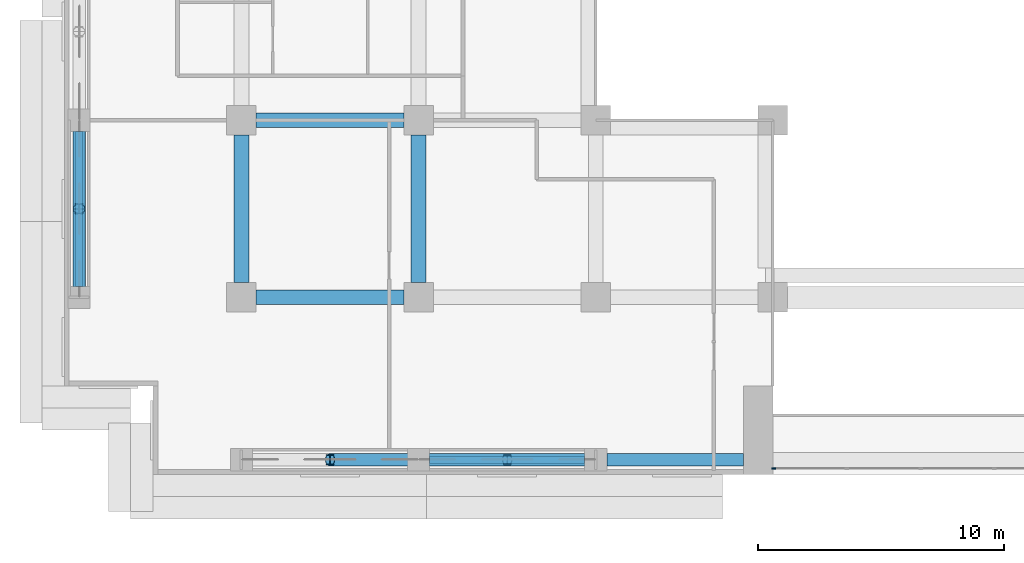
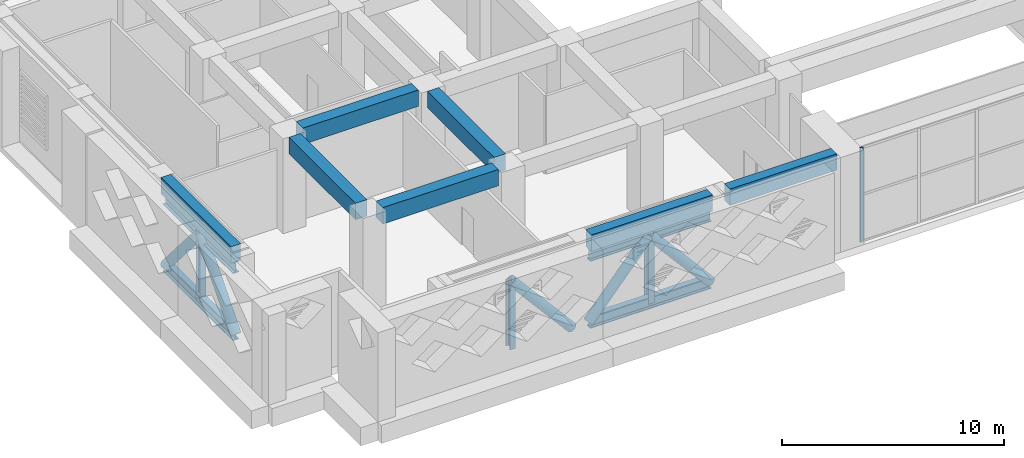
# One storey, part 2 of 19: 13 members, 7 beams, 1 element without a shape of its own.
"""IFC4 building model written with IfcOpenShell, lengths in metres."""

from ifc_helpers import new_model, si_unit, direction, frame, origin, origin_2d, place, context, subcontext, project, spatial, rectangle, hollow_circle, i_section, extrude, source, transform, mapped, material, layer, layer_set, material_profile, profile_set, type_object, element, aggregate, save


model = new_model("IFC4")

# Units and contexts
model_context = context("Model", 3, precision=1e-05, world=origin(), true_north=direction((0.0, 1.0)))
body_context = subcontext(model_context, "Body", "Model", "MODEL_VIEW")
ifc_project = project(units=[si_unit("LENGTHUNIT", "METRE"), si_unit("AREAUNIT", "SQUARE_METRE"), si_unit("VOLUMEUNIT", "CUBIC_METRE"), si_unit("PLANEANGLEUNIT", "RADIAN"), si_unit("MASSUNIT", "GRAM", prefix="KILO")], contexts=[model_context])

# Site, building, storey
site_placement = place(None, origin())
site = spatial("IfcSite", under=ifc_project, at=site_placement, CompositionType="ELEMENT")
building_placement = place(site_placement, origin())
building = spatial("IfcBuilding", under=site, at=building_placement, Name="Saffron Iwan Residences", CompositionType="ELEMENT")
storey_placement = place(building_placement, frame((0.0, 0.0, 107.5)))
storey = spatial("IfcBuildingStorey", under=building, at=storey_placement, Name="L28", CompositionType="ELEMENT", Elevation=107.5)

# Beams
ifc_material_1 = material(Name="Concrete C60/75", Category="concrete")
ifc_material_profile_1 = material_profile(ifc_material_1, rectangle(XDim=0.5, YDim=0.89990234375, at=origin_2d()), Name="RC 500x900")
ifc_profile_set_1 = profile_set([ifc_material_profile_1], Name="Concrete C60/75")
beam_type_1 = type_object("IfcBeamType", Name="SPANDREL BEAM RC 500x900 C60/75 TOP 5200", PredefinedType="SPANDREL", material=ifc_profile_set_1)
shared_shape_1 = source(origin(), body_context, "Body", "SweptSolid", [
    extrude(rectangle(XDim=0.5, YDim=0.89990234375, at=origin_2d()), origin(), (0.0, 0.0, 1.0), 6.300048828125),
])
for number, where, z_axis, x_axis, name in (
    (1, (35.550048828125, 34.199951171875, 4.75), (-1.0, 0.0, 0.0), (0.0, -1.0, 0.0), "Spandrel beam"),
    (2, (15.0, 41.25, 4.75), (0.0, 1.0, 0.0), (-1.0, 0.0, 0.0), "Spandrel beam"),
):
    element("IfcBeam", number, at=place(storey_placement, frame(where, z_axis=z_axis, x_axis=x_axis)), inside=storey, type_object=beam_type_1, Name=name, PredefinedType="SPANDREL", context=body_context, shape_type="MappedRepresentation", body=[
        mapped(shared_shape_1, transform((0.0, 0.0, 0.0))),
    ])
shared_shape_2 = source(origin(), body_context, "Body", "SweptSolid", [
    extrude(rectangle(XDim=0.5, YDim=0.89990234375, at=origin_2d()), origin(), (0.0, 0.0, 1.0), 5.550048828125),
])
beam_placement = place(storey_placement, frame((42.0, 34.199951171875, 4.75), z_axis=(-1.0, 0.0, 0.0), x_axis=(0.0, -1.0, 0.0)))
element("IfcBeam", 3, at=beam_placement, inside=storey, type_object=beam_type_1, Name="Spandrel beam", PredefinedType="SPANDREL", context=body_context, shape_type="MappedRepresentation", body=[
    mapped(shared_shape_2, transform((0.0, 0.0, 0.0))),
])
ifc_material_profile_2 = material_profile(ifc_material_1, rectangle(XDim=0.60009765625, YDim=0.89990234375, at=origin_2d()), Name="RC 600x900")
ifc_profile_set_2 = profile_set([ifc_material_profile_2], Name="Concrete C60/75")
beam_type_2 = type_object("IfcBeamType", Name="BEAM RC 600x900 C60/75 TOP 5200", PredefinedType="BEAM", material=ifc_profile_set_2)
shared_shape_3 = source(origin(), body_context, "Body", "SweptSolid", [
    extrude(rectangle(XDim=0.60009765625, YDim=0.89990234375, at=origin_2d()), origin(), (0.0, 0.0, 1.0), 6.0),
])
for number, where, z_axis, x_axis, name in (
    (4, (22.199951171875, 40.800048828125, 4.75), (1.0, 0.0, 0.0), (0.0, 1.0, 0.0), "Floor beam"),
    (5, (21.60009765625, 41.39990234375, 4.75), (0.0, 1.0, 0.0), (-1.0, 0.0, 0.0), "Floor beam"),
    (6, (28.800048828125, 41.39990234375, 4.75), (0.0, 1.0, 0.0), (-1.0, 0.0, 0.0), "Floor beam"),
    (7, (22.199951171875, 48.0, 4.75), (1.0, 0.0, 0.0), (0.0, 1.0, 0.0), "Floor beam"),
):
    element("IfcBeam", number, at=place(storey_placement, frame(where, z_axis=z_axis, x_axis=x_axis)), inside=storey, type_object=beam_type_2, Name=name, PredefinedType="BEAM", context=body_context, shape_type="MappedRepresentation", body=[
        mapped(shared_shape_3, transform((0.0, 0.0, 0.0))),
    ])

# Members
ifc_material_2 = material(Name="Steel S355", Category="steel")
ifc_material_profile_3 = material_profile(ifc_material_2, i_section(OverallWidth=0.304931640625, OverallDepth=0.6201171875, WebThickness=0.02099609375, FlangeThickness=0.0400390625, FilletRadius=0.027099609375, at=origin_2d()), Name="HE 600 M")
ifc_profile_set_3 = profile_set([ifc_material_profile_3], Name="Steel S355")
member_type_1 = type_object("IfcMemberType", Name="BELT TRUSS CHORD HE 600 M S355", PredefinedType="CHORD", material=ifc_profile_set_3)
shared_shape_4 = source(origin(), body_context, "Body", "SweptSolid", [
    extrude(i_section(OverallWidth=0.304931640625, OverallDepth=0.6201171875, WebThickness=0.02099609375, FlangeThickness=0.0400390625, FilletRadius=0.027099609375, at=origin_2d()), origin(), (0.0, 0.0, 1.0), 6.300048828125),
])
for number, where, z_axis, x_axis, name in (
    (8, (15.0, 41.25, 0.31005859375), (0.0, 1.0, 0.0), (-1.0, 0.0, 0.0), "Belt truss chord L28"),
    (9, (15.0, 41.25, 3.989990234375), (0.0, 1.0, 0.0), (-1.0, 0.0, 0.0), "Belt truss chord L28"),
    (10, (35.550048828125, 34.199951171875, 0.31005859375), (-1.0, 0.0, 0.0), (0.0, -1.0, 0.0), "Belt truss chord L28"),
    (11, (35.550048828125, 34.199951171875, 3.989990234375), (-1.0, 0.0, 0.0), (0.0, -1.0, 0.0), "Belt truss chord L28"),
):
    element("IfcMember", number, at=place(storey_placement, frame(where, z_axis=z_axis, x_axis=x_axis)), inside=storey, type_object=member_type_1, Name=name, PredefinedType="CHORD", context=body_context, shape_type="MappedRepresentation", body=[
        mapped(shared_shape_4, transform((0.0, 0.0, 0.0))),
    ])
ifc_material_profile_4 = material_profile(ifc_material_2, hollow_circle(Radius=0.25390625, WallThickness=0.01611328125, at=origin_2d()), Name="CHS 508x16")
ifc_profile_set_4 = profile_set([ifc_material_profile_4], Name="Steel S355")
member_type_2 = type_object("IfcMemberType", Name="BELT TRUSS DIAGONAL CHS 508x16 S355", PredefinedType="BRACE", material=ifc_profile_set_4)
shared_shape_5 = source(origin(), body_context, "Body", "SweptSolid", [
    extrude(hollow_circle(Radius=0.25390625, WallThickness=0.01611328125, at=origin_2d()), origin(), (0.0, 0.0, 1.0), 4.843994140625),
])
for number, where, z_axis, x_axis, name in (
    (12, (15.0, 41.25, 0.31005859375), (0.0, 0.650276538531, 0.75969758683), (-1.0, 0.0, 0.0), "Belt truss diagonal L28"),
    (13, (15.0, 44.39990234375, 3.989990234375), (0.0, 0.650305625683, -0.759672688206), (-1.0, 0.0, 0.0), "Belt truss diagonal L28"),
    (14, (35.550048828125, 34.199951171875, 0.31005859375), (-0.650305625683, 0.0, 0.759672688206), (0.0, -1.0, 0.0), "Belt truss diagonal L28"),
    (15, (32.39990234375, 34.199951171875, 3.989990234375), (-0.650276538531, 0.0, -0.75969758683), (0.0, -1.0, 0.0), "Belt truss diagonal L28"),
    (16, (28.35009765625, 34.199951171875, 0.31005859375), (-0.650305625683, 0.0, 0.759672688206), (0.0, -1.0, 0.0), "Belt truss diagonal L28"),
):
    element("IfcMember", number, at=place(storey_placement, frame(where, z_axis=z_axis, x_axis=x_axis)), inside=storey, type_object=member_type_2, Name=name, PredefinedType="BRACE", context=body_context, shape_type="MappedRepresentation", body=[
        mapped(shared_shape_5, transform((0.0, 0.0, 0.0))),
    ])
ifc_material_profile_5 = material_profile(ifc_material_2, i_section(OverallWidth=0.300048828125, OverallDepth=0.39990234375, WebThickness=0.013427734375, FlangeThickness=0.02392578125, FilletRadius=0.027099609375, at=origin_2d()), Name="HE 400 B")
ifc_profile_set_5 = profile_set([ifc_material_profile_5], Name="Steel S355")
member_type_3 = type_object("IfcMemberType", Name="BELT TRUSS POST HE 400 B S355", PredefinedType="POST", material=ifc_profile_set_5)
shared_shape_6 = source(origin(), body_context, "Body", "SweptSolid", [
    extrude(i_section(OverallWidth=0.300048828125, OverallDepth=0.39990234375, WebThickness=0.013427734375, FlangeThickness=0.02392578125, FilletRadius=0.027099609375, at=origin_2d()), origin(), (0.0, 0.0, 1.0), 3.679931640625),
])
for number, where, z_axis, x_axis, name in (
    (17, (15.0, 44.39990234375, 0.31005859375), (0.0, 0.0, 1.0), (1.0, 0.0, 0.0), "Belt truss post L28"),
    (18, (32.39990234375, 34.199951171875, 0.31005859375), (0.0, 0.0, 1.0), (1.0, 0.0, 0.0), "Belt truss post L28"),
    (19, (25.199951171875, 34.199951171875, 0.31005859375), (0.0, 0.0, 1.0), (1.0, 0.0, 0.0), "Belt truss post L28"),
):
    element("IfcMember", number, at=place(storey_placement, frame(where, z_axis=z_axis, x_axis=x_axis)), inside=storey, type_object=member_type_3, Name=name, PredefinedType="POST", context=body_context, shape_type="MappedRepresentation", body=[
        mapped(shared_shape_6, transform((0.0, 0.0, 0.0))),
    ])

# Curtain wall, member
ifc_material_3 = material(Name="Clear glass, laminated double glazed", Category="glass")
ifc_layer = layer(ifc_material_3, 0.199951171875)
ifc_layer_set = layer_set([ifc_layer], Name="Clear glass, laminated double glazed")
curtain_wall_type = type_object("IfcCurtainWallType", Name="CW-B IWAN PORTAL", PredefinedType="NOTDEFINED", material=ifc_layer_set)
curtain_wall_placement = place(storey_placement, origin())
curtain_wall = element("IfcCurtainWall", 20, at=curtain_wall_placement, inside=storey, type_object=curtain_wall_type, Name="Iwan portal glazing L28.1", PredefinedType="NOTDEFINED")
ifc_material_4 = material(Name="Aluminium 6063-T6", Category="aluminium")
ifc_material_profile_6 = material_profile(ifc_material_4, rectangle(XDim=0.06005859375, YDim=0.159912109375, at=origin_2d()), Name="CW-B MULLION 60 x 160")
ifc_profile_set_6 = profile_set([ifc_material_profile_6], Name="Aluminium 6063-T6")
member_type_4 = type_object("IfcMemberType", Name="CW-B MULLION 60 x 160", PredefinedType="MULLION", material=ifc_profile_set_6)
shared_shape_7 = source(origin(), body_context, "Body", "SweptSolid", [
    extrude(rectangle(XDim=0.06005859375, YDim=0.159912109375, at=origin_2d()), origin(), (0.0, 0.0, 1.0), 5.199951171875),
])
member_placement = place(storey_placement, frame((43.22998046875, 33.85009765625, 0.0), z_axis=(0.0, 0.0, 1.0), x_axis=(0.0, 1.0, 0.0)))
member = element("IfcMember", 21, at=member_placement, type_object=member_type_4, Name="CW-B mullion 1", PredefinedType="MULLION", context=body_context, shape_type="MappedRepresentation", body=[
    mapped(shared_shape_7, transform((0.0, 0.0, 0.0))),
])
aggregate(curtain_wall, [member])

save(model, "model.ifc")
